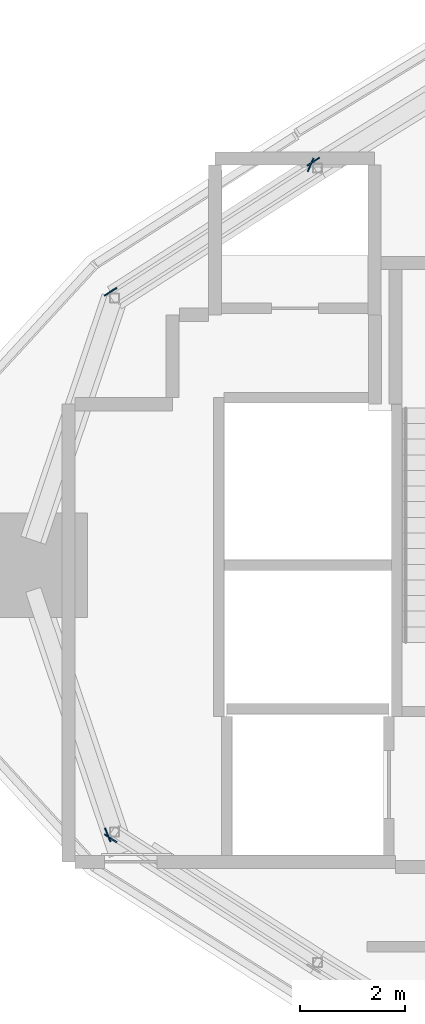
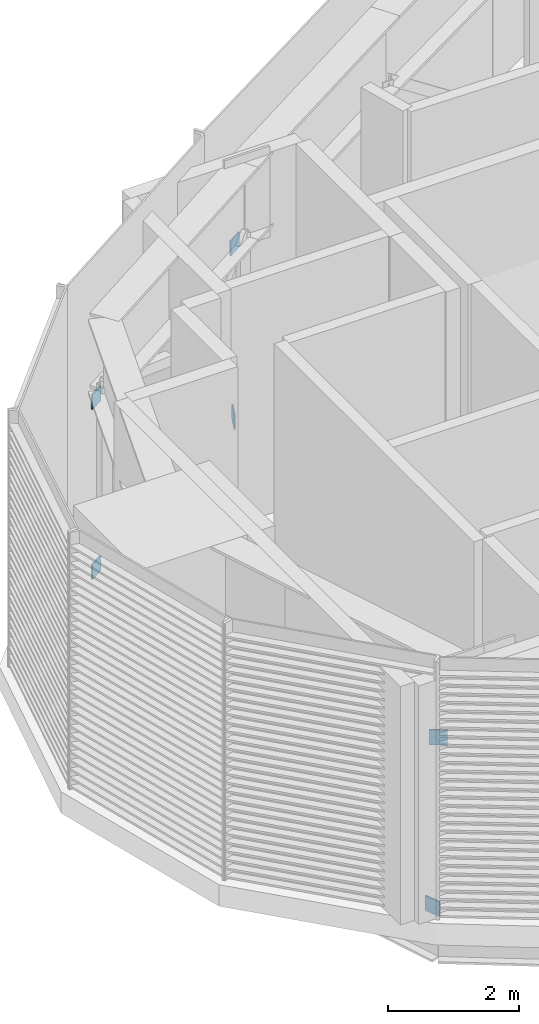
# One storey, part 11 of 21: 6 plates.
"""IFC4 building model written with IfcOpenShell, lengths in metres."""

from ifc_helpers import new_model, si_unit, direction, frame, origin, origin_2d, place, context, subcontext, project, spatial, rectangle, extrude, material, layer, layer_set, type_object, element, save


model = new_model("IFC4")

# Units and contexts
model_context = context("Model", 3, precision=1e-05, world=origin(), true_north=direction((0.0, 1.0)))
body_context = subcontext(model_context, "Body", "Model", "MODEL_VIEW")
ifc_project = project(units=[si_unit("LENGTHUNIT", "METRE"), si_unit("AREAUNIT", "SQUARE_METRE"), si_unit("VOLUMEUNIT", "CUBIC_METRE"), si_unit("PLANEANGLEUNIT", "RADIAN"), si_unit("MASSUNIT", "GRAM", prefix="KILO")], contexts=[model_context])

# Site, building, storey
site_placement = place(None, origin())
site = spatial("IfcSite", under=ifc_project, at=site_placement, CompositionType="ELEMENT")
building_placement = place(site_placement, origin())
building = spatial("IfcBuilding", under=site, at=building_placement, Name="Tamra Quay Hotel Tower", CompositionType="ELEMENT")
storey_placement = place(building_placement, frame((0.0, 0.0, 301.800048828125)))
storey = spatial("IfcBuildingStorey", under=building, at=storey_placement, Name="L76", CompositionType="ELEMENT", Elevation=301.800048828125)

# Plates
ifc_material = material(Name="Structural steel IS 2062 E350", Category="steel")
ifc_layer = layer(ifc_material, 0.02490234375)
ifc_layer_set = layer_set([ifc_layer], Name="BRACE END PLATE 25")
plate_type = type_object("IfcPlateType", Name="BRACE END PLATE 25", PredefinedType="SHEET", material=ifc_layer_set)
for number, where, z_axis, x_axis, name in (
    (1, (-17.809814453125, 7.650146484375, -0.39990234375), (0.0, 0.0, 1.0), (-0.918820832755, 0.394674900766, 0.0), "BEP-L76-015"),
    (2, (-21.634521484375, 5.22509765625, -0.39990234375), (0.0, 0.0, 1.0), (-0.540002367318, 0.841663497658, 0.0), "BEP-L76-016"),
    (3, (-21.688232421875, -5.160400390625, -0.39990234375), (0.0, 0.0, 1.0), (0.925026159834, 0.379903413544, 0.0), "BEP-L76-017"),
    (4, (-17.757080078125, 7.712646484375, 2.77001953125), (0.0, 0.0, 1.0), (-0.540002367318, 0.841663497658, 0.0), "BEP-L76-039"),
    (5, (-21.633544921875, 5.2255859375, 2.77001953125), (0.0, 0.0, 1.0), (-0.53342113634, 0.845849804224, 0.0), "BEP-L76-040"),
    (6, (-21.634521484375, -5.22509765625, 2.77001953125), (0.0, 0.0, 1.0), (0.540002367318, 0.841663497658, 0.0), "BEP-L76-041"),
):
    element("IfcPlate", number, at=place(storey_placement, frame(where, z_axis=z_axis, x_axis=x_axis)), inside=storey, type_object=plate_type, Name=name, PredefinedType="SHEET", context=body_context, shape_type="SweptSolid", body=[
        extrude(rectangle(XDim=0.02490234375, YDim=0.280029296875, at=origin_2d()), origin(), (0.0, 0.0, 1.0), 0.280029296875),
    ])

save(model, "model.ifc")
